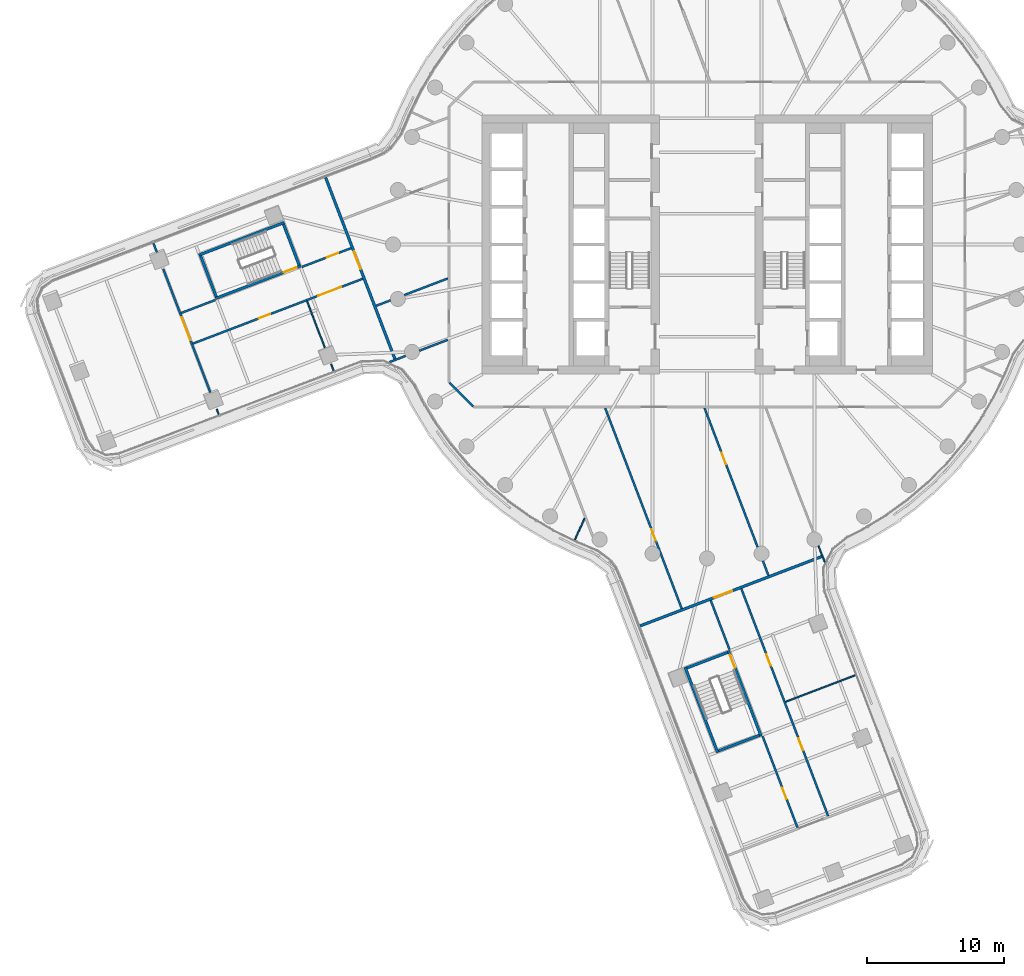
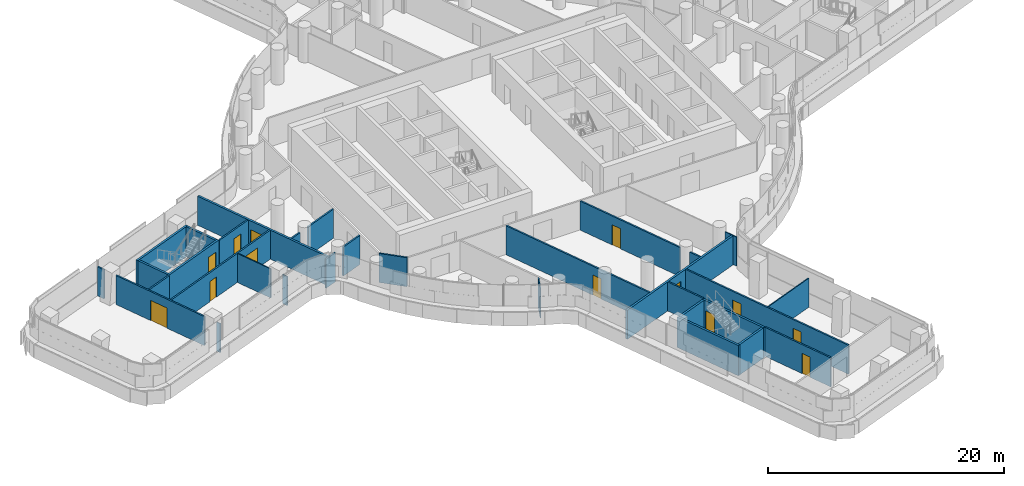
# One storey, part 20 of 32: 32 walls, 13 doors, 13 openings.
"""IFC4 building model written with IfcOpenShell, lengths in metres."""

from ifc_helpers import new_model, si_unit, direction, frame, frame_2d, origin, place, context, subcontext, project, spatial, polyline, rectangle, outline, extrude, material, layer, layer_set, type_object, element, fill, save


model = new_model("IFC4")

# Units and contexts
model_context = context("Model", 3, precision=1e-05, world=origin(), true_north=direction((0.0, 1.0)))
body_context = subcontext(model_context, "Body", "Model", "MODEL_VIEW")
ifc_project = project(units=[si_unit("LENGTHUNIT", "METRE"), si_unit("AREAUNIT", "SQUARE_METRE"), si_unit("VOLUMEUNIT", "CUBIC_METRE"), si_unit("PLANEANGLEUNIT", "RADIAN"), si_unit("MASSUNIT", "GRAM", prefix="KILO")], contexts=[model_context])

# Site, building, storey
site_placement = place(None, origin())
site = spatial("IfcSite", under=ifc_project, at=site_placement, CompositionType="ELEMENT")
building_placement = place(site_placement, origin())
building = spatial("IfcBuilding", under=site, at=building_placement, Name="Tamarind Cross Interchange Tower", CompositionType="ELEMENT")
storey_placement = place(building_placement, frame((0.0, 0.0, 109.75)))
storey = spatial("IfcBuildingStorey", under=building, at=storey_placement, Name="L26", CompositionType="ELEMENT", Elevation=109.75)

# Walls
ifc_material_1 = material(Name="Gypsum board partition on steel studs", Category="steel")
ifc_layer_1 = layer(ifc_material_1, 0.10009765625)
ifc_layer_set_1 = layer_set([ifc_layer_1], Name="Gypsum board partition on steel studs")
wall_type_1 = type_object("IfcWallType", Name="Partition 100 mm EI 90", PredefinedType="PARTITIONING", material=ifc_layer_set_1)
wall_1_placement = place(storey_placement, frame((-35.914306640625, -12.05859375, 0.0), z_axis=(0.0, 0.0, 1.0), x_axis=(0.356417338783, -0.934326859624, 0.0)))
element("IfcWall", 1, at=wall_1_placement, inside=storey, type_object=wall_type_1, Name="Partition L26-003", PredefinedType="PARTITIONING", context=body_context, shape_type="SweptSolid", body=[
    extrude(rectangle(XDim=0.408935546875, YDim=0.10009765625, at=frame_2d((0.20458984375, 0.0))), origin(), (0.0, 0.0, 1.0), 3.010009765625),
])
wall_2_placement = place(storey_placement, frame((-29.29931640625, -4.151123046875, 0.0), z_axis=(0.0, 0.0, 1.0), x_axis=(0.356630346692, -0.934245575755, 0.0)))
element("IfcWall", 2, at=wall_2_placement, inside=storey, type_object=wall_type_1, Name="Partition L26-004", PredefinedType="PARTITIONING", context=body_context, shape_type="SweptSolid", body=[
    extrude(rectangle(XDim=3.644775390625, YDim=0.10009765625, at=frame_2d((1.822265625, 0.0))), origin(), (0.0, 0.0, 1.0), 3.010009765625),
])
wall_3_placement = place(storey_placement, frame((-27.53564453125, -8.77197265625, 0.0), z_axis=(0.0, 0.0, 1.0), x_axis=(0.356678557675, -0.934227170711, 0.0)))
element("IfcWall", 3, at=wall_3_placement, inside=storey, type_object=wall_type_1, Name="Partition L26-005", PredefinedType="PARTITIONING", context=body_context, shape_type="SweptSolid", body=[
    extrude(rectangle(XDim=0.505126953125, YDim=0.10009765625, at=frame_2d((0.25244140625, 0.0))), origin(), (0.0, 0.0, 1.0), 3.010009765625),
])
wall_4_placement = place(storey_placement, frame((8.1650390625, -22.079345703125, 0.0), z_axis=(0.0, 0.0, 1.0), x_axis=(0.356610144775, -0.9342532872, 0.0)))
element("IfcWall", 4, at=wall_4_placement, inside=storey, type_object=wall_type_1, Name="Partition L26-025", PredefinedType="PARTITIONING", context=body_context, shape_type="SweptSolid", body=[
    extrude(rectangle(XDim=1.271240234375, YDim=0.10009765625, at=frame_2d((0.6357421875, 0.0))), origin(), (0.0, 0.0, 1.0), 3.010009765625),
])
wall_5_placement = place(storey_placement, frame((5.7607421875, -33.50146484375, 0.0), z_axis=(0.0, 0.0, 1.0), x_axis=(0.934215122636, 0.35671011289, 0.0)))
element("IfcWall", 5, at=wall_5_placement, inside=storey, type_object=wall_type_1, Name="Partition L26-063", PredefinedType="PARTITIONING", context=body_context, shape_type="SweptSolid", body=[
    extrude(rectangle(XDim=5.439208984375, YDim=0.10009765625, at=frame_2d((2.7197265625, 0.0))), origin(), (0.0, 0.0, 1.0), 3.010009765625),
])
wall_6_placement = place(storey_placement, frame((-9.672607421875, -21.619873046875, 0.0), z_axis=(0.0, 0.0, 1.0), x_axis=(0.408435119279, 0.912787353845, 0.0)))
element("IfcWall", 6, at=wall_6_placement, inside=storey, type_object=wall_type_1, Name="Partition L26-074", PredefinedType="PARTITIONING", context=body_context, shape_type="SweptSolid", body=[
    extrude(rectangle(XDim=1.705322265625, YDim=0.10009765625, at=frame_2d((0.8525390625, 0.0))), origin(), (0.0, 0.0, 1.0), 3.010009765625),
])
ifc_layer_2 = layer(ifc_material_1, 0.14990234375)
ifc_layer_set_2 = layer_set([ifc_layer_2], Name="Gypsum board partition on steel studs")
wall_type_2 = type_object("IfcWallType", Name="Partition 150 mm EI 120", PredefinedType="PARTITIONING", material=ifc_layer_set_2)
wall_7_placement = place(storey_placement, frame((-40.551513671875, 0.087890625, 0.0), z_axis=(0.0, 0.0, 1.0), x_axis=(0.356494659401, -0.93429736049, 0.0)))
element("IfcWall", 7, at=wall_7_placement, inside=storey, type_object=wall_type_2, Name="Partition L26-001", PredefinedType="PARTITIONING", context=body_context, shape_type="SweptSolid", body=[
    extrude(rectangle(XDim=0.71142578125, YDim=0.14990234375, at=frame_2d((0.355712890625, 0.0))), origin(), (0.0, 0.0, 1.0), 3.010009765625),
])

# Wall, opening, door
wall_8_placement = place(storey_placement, frame((-39.833740234375, -1.79248046875, 0.0), z_axis=(0.0, 0.0, 1.0), x_axis=(0.356671172887, -0.934229990115, 0.0)))
wall_8 = element("IfcWall", 8, at=wall_8_placement, inside=storey, type_object=wall_type_2, Name="Partition L26-002", PredefinedType="PARTITIONING", context=body_context, shape_type="SweptSolid", body=[
    extrude(rectangle(XDim=9.687744140625, YDim=0.14990234375, at=frame_2d((4.84375, 0.0))), origin(), (0.0, 0.0, 1.0), 3.010009765625),
])
opening_1_placement = place(wall_8_placement, frame((3.785888671875, 0.0, 0.0)))
opening_1 = element("IfcOpeningElement", 9, at=opening_1_placement, cuts=wall_8, Name="Opening D01", PredefinedType="OPENING", context=body_context, shape_type="SweptSolid", body=[
    extrude(rectangle(XDim=1.800048828125, YDim=2.10009765625, at=frame_2d((0.89990234375, 1.050048828125))), frame((0.0, 0.0849609375, 0.0), z_axis=(0.0, -1.0, 0.0), x_axis=(1.0, 0.0, 0.0)), (0.0, 0.0, 1.0), 0.169921875),
])
ifc_material_2 = material(Name="Fire-resisting door set")
door_type_1 = type_object("IfcDoorType", Name="Interior door 1800 x 2100 FD60S", OperationType="DOUBLE_DOOR_SINGLE_SWING", PredefinedType="DOOR", material=ifc_material_2)
door_1_placement = place(opening_1_placement, frame((1.800048828125, 0.0, 0.0), z_axis=(0.0, 0.0, 1.0), x_axis=(-1.0, 0.0, 0.0)))
door_1 = element("IfcDoor", 10, at=door_1_placement, inside=storey, type_object=door_type_1, Name="Door D01", OperationType="DOUBLE_DOOR_SINGLE_SWING", OverallHeight=2.10009765625, OverallWidth=1.800048828125, PredefinedType="DOOR", context=body_context, shape_type="SweptSolid", body=[
    extrude(rectangle(XDim=1.800048828125, YDim=2.10009765625, at=frame_2d((0.89990234375, 1.050048828125))), frame((0.0, 0.02490234375, 0.0), z_axis=(0.0, -1.0, 0.0), x_axis=(1.0, 0.0, 0.0)), (0.0, 0.0, 1.0), 0.050048828125),
])
fill(opening_1, door_1)

wall_9_placement = place(storey_placement, frame((-7.462890625, -11.984130859375, 0.0), z_axis=(0.0, 0.0, 1.0), x_axis=(0.356654229723, -0.934236458516, 0.0)))
wall_9 = element("IfcWall", 11, at=wall_9_placement, inside=storey, type_object=wall_type_2, Name="Partition L26-012", PredefinedType="PARTITIONING", context=body_context, shape_type="SweptSolid", body=[
    extrude(rectangle(XDim=15.714111328125, YDim=0.14990234375, at=frame_2d((7.85693359375, 0.0))), origin(), (0.0, 0.0, 1.0), 3.010009765625),
])
opening_2_placement = place(wall_9_placement, frame((9.510009765625, 0.0, 0.0)))
opening_2 = element("IfcOpeningElement", 12, at=opening_2_placement, cuts=wall_9, Name="Opening D08", PredefinedType="OPENING", context=body_context, shape_type="SweptSolid", body=[
    extrude(rectangle(XDim=0.89990234375, YDim=2.10009765625, at=frame_2d((0.449951171875, 1.050048828125))), frame((0.0, 0.0849609375, 0.0), z_axis=(0.0, -1.0, 0.0), x_axis=(1.0, 0.0, 0.0)), (0.0, 0.0, 1.0), 0.169921875),
])
door_type_2 = type_object("IfcDoorType", Name="Interior door 900 x 2100 FD60S", OperationType="SINGLE_SWING_LEFT", PredefinedType="DOOR", material=ifc_material_2)
door_2_placement = place(opening_2_placement, frame((0.89990234375, 0.0, 0.0), z_axis=(0.0, 0.0, 1.0), x_axis=(-1.0, 0.0, 0.0)))
door_2 = element("IfcDoor", 13, at=door_2_placement, inside=storey, type_object=door_type_2, Name="Door D08", OperationType="SINGLE_SWING_RIGHT", OverallHeight=2.10009765625, OverallWidth=0.89990234375, PredefinedType="DOOR", context=body_context, shape_type="SweptSolid", body=[
    extrude(rectangle(XDim=0.89990234375, YDim=2.10009765625, at=frame_2d((0.449951171875, 1.050048828125))), frame((0.0, 0.02490234375, 0.0), z_axis=(0.0, -1.0, 0.0), x_axis=(1.0, 0.0, 0.0)), (0.0, 0.0, 1.0), 0.050048828125),
])
fill(opening_2, door_2)

wall_10_placement = place(storey_placement, frame((-0.184814453125, -11.984130859375, 0.0), z_axis=(0.0, 0.0, 1.0), x_axis=(0.356710090363, -0.934215131237, 0.0)))
wall_10 = element("IfcWall", 14, at=wall_10_placement, inside=storey, type_object=wall_type_2, Name="Partition L26-017", PredefinedType="PARTITIONING", context=body_context, shape_type="SweptSolid", body=[
    extrude(rectangle(XDim=10.906982421875, YDim=0.14990234375, at=frame_2d((5.45361328125, 0.0))), origin(), (0.0, 0.0, 1.0), 3.010009765625),
])
opening_3_placement = place(wall_10_placement, frame((3.510009765625, 0.0, 0.0)))
opening_3 = element("IfcOpeningElement", 15, at=opening_3_placement, cuts=wall_10, Name="Opening D15", PredefinedType="OPENING", context=body_context, shape_type="SweptSolid", body=[
    extrude(rectangle(XDim=0.89990234375, YDim=2.10009765625, at=frame_2d((0.449951171875, 1.050048828125))), frame((0.0, 0.0849609375, 0.0), z_axis=(0.0, -1.0, 0.0), x_axis=(1.0, 0.0, 0.0)), (0.0, 0.0, 1.0), 0.169921875),
])
door_3_placement = place(opening_3_placement, origin())
door_3 = element("IfcDoor", 16, at=door_3_placement, inside=storey, type_object=door_type_2, Name="Door D15", OperationType="SINGLE_SWING_RIGHT", OverallHeight=2.10009765625, OverallWidth=0.89990234375, PredefinedType="DOOR", context=body_context, shape_type="SweptSolid", body=[
    extrude(rectangle(XDim=0.89990234375, YDim=2.10009765625, at=frame_2d((0.449951171875, 1.050048828125))), frame((0.0, 0.02490234375, 0.0), z_axis=(0.0, -1.0, 0.0), x_axis=(1.0, 0.0, 0.0)), (0.0, 0.0, 1.0), 0.050048828125),
])
fill(opening_3, door_3)

# Walls
wall_11_placement = place(storey_placement, frame((4.091796875, -23.184326171875, 0.0), z_axis=(0.0, 0.0, 1.0), x_axis=(0.356615770698, -0.934251139731, 0.0)))
element("IfcWall", 17, at=wall_11_placement, inside=storey, type_object=wall_type_2, Name="Partition L26-018", PredefinedType="PARTITIONING", context=body_context, shape_type="SweptSolid", body=[
    extrude(rectangle(XDim=1.12890625, YDim=0.14990234375, at=frame_2d((0.564453125, 0.0))), origin(), (0.0, 0.0, 1.0), 3.010009765625),
])
wall_12_placement = place(storey_placement, frame((0.269775390625, -26.0712890625, 0.0), z_axis=(0.0, 0.0, 1.0), x_axis=(0.356676472855, -0.934227966672, 0.0)))
element("IfcWall", 18, at=wall_12_placement, inside=storey, type_object=wall_type_2, Name="Partition L26-019", PredefinedType="PARTITIONING", context=body_context, shape_type="SweptSolid", body=[
    extrude(rectangle(XDim=3.85986328125, YDim=0.14990234375, at=frame_2d((1.929931640625, 0.0))), origin(), (0.0, 0.0, 1.0), 3.010009765625),
])

# Wall, opening, door
wall_13_placement = place(storey_placement, frame((4.06494140625, -36.011474609375, 0.0), z_axis=(0.0, 0.0, 1.0), x_axis=(0.356691859739, -0.934222092008, 0.0)))
wall_13 = element("IfcWall", 19, at=wall_13_placement, inside=storey, type_object=wall_type_2, Name="Partition L26-020", PredefinedType="PARTITIONING", context=body_context, shape_type="SweptSolid", body=[
    extrude(rectangle(XDim=7.184814453125, YDim=0.14990234375, at=frame_2d((3.59228515625, 0.0))), origin(), (0.0, 0.0, 1.0), 3.010009765625),
])
opening_4_placement = place(wall_13_placement, frame((4.050048828125, 0.0, 0.0)))
opening_4 = element("IfcOpeningElement", 20, at=opening_4_placement, cuts=wall_13, Name="Opening D16", PredefinedType="OPENING", context=body_context, shape_type="SweptSolid", body=[
    extrude(rectangle(XDim=0.89990234375, YDim=2.10009765625, at=frame_2d((0.449951171875, 1.050048828125))), frame((0.0, 0.0849609375, 0.0), z_axis=(0.0, -1.0, 0.0), x_axis=(1.0, 0.0, 0.0)), (0.0, 0.0, 1.0), 0.169921875),
])
door_4_placement = place(opening_4_placement, frame((0.89990234375, 0.0, 0.0), z_axis=(0.0, 0.0, 1.0), x_axis=(-1.0, 0.0, 0.0)))
door_4 = element("IfcDoor", 21, at=door_4_placement, inside=storey, type_object=door_type_2, Name="Door D16", OperationType="SINGLE_SWING_RIGHT", OverallHeight=2.10009765625, OverallWidth=0.89990234375, PredefinedType="DOOR", context=body_context, shape_type="SweptSolid", body=[
    extrude(rectangle(XDim=0.89990234375, YDim=2.10009765625, at=frame_2d((0.449951171875, 1.050048828125))), frame((0.0, 0.02490234375, 0.0), z_axis=(0.0, -1.0, 0.0), x_axis=(1.0, 0.0, 0.0)), (0.0, 0.0, 1.0), 0.050048828125),
])
fill(opening_4, door_4)

# Wall, openings, doors
wall_14_placement = place(storey_placement, frame((2.51171875, -25.21533203125, 0.0), z_axis=(0.0, 0.0, 1.0), x_axis=(0.356708303163, -0.93421581364, 0.0)))
wall_14 = element("IfcWall", 22, at=wall_14_placement, inside=storey, type_object=wall_type_2, Name="Partition L26-022", PredefinedType="PARTITIONING", context=body_context, shape_type="SweptSolid", body=[
    extrude(rectangle(XDim=17.8251953125, YDim=0.14990234375, at=frame_2d((8.91259765625, 0.0))), origin(), (0.0, 0.0, 1.0), 3.010009765625),
])
opening_5_placement = place(wall_14_placement, frame((5.14990234375, 0.0, 0.0)))
opening_5 = element("IfcOpeningElement", 23, at=opening_5_placement, cuts=wall_14, Name="Opening D18", PredefinedType="OPENING", context=body_context, shape_type="SweptSolid", body=[
    extrude(rectangle(XDim=0.89990234375, YDim=2.10009765625, at=frame_2d((0.449951171875, 1.050048828125))), frame((0.0, 0.0849609375, 0.0), z_axis=(0.0, -1.0, 0.0), x_axis=(1.0, 0.0, 0.0)), (0.0, 0.0, 1.0), 0.169921875),
])
opening_6_placement = place(wall_14_placement, frame((11.75, 0.0, 0.0)))
opening_6 = element("IfcOpeningElement", 24, at=opening_6_placement, cuts=wall_14, Name="Opening D19", PredefinedType="OPENING", context=body_context, shape_type="SweptSolid", body=[
    extrude(rectangle(XDim=0.89990234375, YDim=2.10009765625, at=frame_2d((0.449951171875, 1.050048828125))), frame((0.0, 0.0849609375, 0.0), z_axis=(0.0, -1.0, 0.0), x_axis=(1.0, 0.0, 0.0)), (0.0, 0.0, 1.0), 0.169921875),
])
door_5_placement = place(opening_5_placement, origin())
door_5 = element("IfcDoor", 25, at=door_5_placement, inside=storey, type_object=door_type_2, Name="Door D18", OperationType="SINGLE_SWING_RIGHT", OverallHeight=2.10009765625, OverallWidth=0.89990234375, PredefinedType="DOOR", context=body_context, shape_type="SweptSolid", body=[
    extrude(rectangle(XDim=0.89990234375, YDim=2.10009765625, at=frame_2d((0.449951171875, 1.050048828125))), frame((0.0, 0.02490234375, 0.0), z_axis=(0.0, -1.0, 0.0), x_axis=(1.0, 0.0, 0.0)), (0.0, 0.0, 1.0), 0.050048828125),
])
fill(opening_5, door_5)
door_6_placement = place(opening_6_placement, origin())
door_6 = element("IfcDoor", 26, at=door_6_placement, inside=storey, type_object=door_type_2, Name="Door D19", OperationType="SINGLE_SWING_LEFT", OverallHeight=2.10009765625, OverallWidth=0.89990234375, PredefinedType="DOOR", context=body_context, shape_type="SweptSolid", body=[
    extrude(rectangle(XDim=0.89990234375, YDim=2.10009765625, at=frame_2d((0.449951171875, 1.050048828125))), frame((0.0, 0.02490234375, 0.0), z_axis=(0.0, -1.0, 0.0), x_axis=(1.0, 0.0, 0.0)), (0.0, 0.0, 1.0), 0.050048828125),
])
fill(opening_6, door_6)

# Walls
wall_15_placement = place(storey_placement, frame((-18.87158203125, -10.12841796875, 0.0), z_axis=(0.0, 0.0, 1.0), x_axis=(0.707106781187, -0.707106781187, 0.0)))
element("IfcWall", 27, at=wall_15_placement, inside=storey, type_object=wall_type_2, Name="Partition L26-032", PredefinedType="PARTITIONING", context=body_context, shape_type="SweptSolid", body=[
    extrude(rectangle(XDim=2.465087890625, YDim=0.14990234375, at=frame_2d((1.232421875, 0.0))), origin(), (0.0, 0.0, 1.0), 3.010009765625),
])
wall_16_placement = place(storey_placement, frame((-38.52001953125, -5.022216796875, 0.0), z_axis=(0.0, 0.0, 1.0), x_axis=(0.93425419007, 0.356607779412, 0.0)))
element("IfcWall", 28, at=wall_16_placement, inside=storey, type_object=wall_type_2, Name="Partition L26-038", PredefinedType="PARTITIONING", context=body_context, shape_type="SweptSolid", body=[
    extrude(rectangle(XDim=2.68505859375, YDim=0.14990234375, at=frame_2d((1.342529296875, 0.0))), origin(), (0.0, 0.0, 1.0), 3.010009765625),
])

# Wall, opening, door
wall_17_placement = place(storey_placement, frame((-29.677490234375, -1.646484375, 0.0), z_axis=(0.0, 0.0, 1.0), x_axis=(0.934236012723, 0.356655397451, 0.0)))
wall_17 = element("IfcWall", 29, at=wall_17_placement, inside=storey, type_object=wall_type_2, Name="Partition L26-039", PredefinedType="PARTITIONING", context=body_context, shape_type="SweptSolid", body=[
    extrude(rectangle(XDim=3.860107421875, YDim=0.14990234375, at=frame_2d((1.93017578125, 0.0))), origin(), (0.0, 0.0, 1.0), 3.010009765625),
])
opening_7_placement = place(wall_17_placement, frame((1.949951171875, 0.0, 0.0)))
opening_7 = element("IfcOpeningElement", 30, at=opening_7_placement, cuts=wall_17, Name="Opening D29", PredefinedType="OPENING", context=body_context, shape_type="SweptSolid", body=[
    extrude(rectangle(XDim=0.89990234375, YDim=2.10009765625, at=frame_2d((0.449951171875, 1.050048828125))), frame((0.0, 0.0849609375, 0.0), z_axis=(0.0, -1.0, 0.0), x_axis=(1.0, 0.0, 0.0)), (0.0, 0.0, 1.0), 0.169921875),
])
door_7_placement = place(opening_7_placement, origin())
door_7 = element("IfcDoor", 31, at=door_7_placement, inside=storey, type_object=door_type_2, Name="Door D29", OperationType="SINGLE_SWING_LEFT", OverallHeight=2.10009765625, OverallWidth=0.89990234375, PredefinedType="DOOR", context=body_context, shape_type="SweptSolid", body=[
    extrude(rectangle(XDim=0.89990234375, YDim=2.10009765625, at=frame_2d((0.449951171875, 1.050048828125))), frame((0.0, 0.02490234375, 0.0), z_axis=(0.0, -1.0, 0.0), x_axis=(1.0, 0.0, 0.0)), (0.0, 0.0, 1.0), 0.050048828125),
])
fill(opening_7, door_7)

# Wall, openings, doors
wall_18_placement = place(storey_placement, frame((-37.663818359375, -7.26513671875, 0.0), z_axis=(0.0, 0.0, 1.0), x_axis=(0.934194850128, 0.356763201571, 0.0)))
wall_18 = element("IfcWall", 32, at=wall_18_placement, inside=storey, type_object=wall_type_2, Name="Partition L26-040", PredefinedType="PARTITIONING", context=body_context, shape_type="SweptSolid", body=[
    extrude(rectangle(XDim=13.3251953125, YDim=0.14990234375, at=frame_2d((6.66259765625, 0.0))), origin(), (0.0, 0.0, 1.0), 3.010009765625),
])
opening_8_placement = place(wall_18_placement, frame((5.175048828125, 0.0, 0.0)))
opening_8 = element("IfcOpeningElement", 33, at=opening_8_placement, cuts=wall_18, Name="Opening D30", PredefinedType="OPENING", context=body_context, shape_type="SweptSolid", body=[
    extrude(rectangle(XDim=0.89990234375, YDim=2.10009765625, at=frame_2d((0.449951171875, 1.050048828125))), frame((0.0, 0.0849609375, 0.0), z_axis=(0.0, -1.0, 0.0), x_axis=(1.0, 0.0, 0.0)), (0.0, 0.0, 1.0), 0.169921875),
])
opening_9_placement = place(wall_18_placement, frame((9.8251953125, 0.0, 0.0)))
opening_9 = element("IfcOpeningElement", 34, at=opening_9_placement, cuts=wall_18, Name="Opening D31", PredefinedType="OPENING", context=body_context, shape_type="SweptSolid", body=[
    extrude(rectangle(XDim=1.800048828125, YDim=2.10009765625, at=frame_2d((0.89990234375, 1.050048828125))), frame((0.0, 0.0849609375, 0.0), z_axis=(0.0, -1.0, 0.0), x_axis=(1.0, 0.0, 0.0)), (0.0, 0.0, 1.0), 0.169921875),
])
door_8_placement = place(opening_9_placement, frame((1.800048828125, 0.0, 0.0), z_axis=(0.0, 0.0, 1.0), x_axis=(-1.0, 0.0, 0.0)))
door_8 = element("IfcDoor", 35, at=door_8_placement, inside=storey, type_object=door_type_1, Name="Door D31", OperationType="DOUBLE_DOOR_SINGLE_SWING", OverallHeight=2.10009765625, OverallWidth=1.800048828125, PredefinedType="DOOR", context=body_context, shape_type="SweptSolid", body=[
    extrude(rectangle(XDim=1.800048828125, YDim=2.10009765625, at=frame_2d((0.89990234375, 1.050048828125))), frame((0.0, 0.02490234375, 0.0), z_axis=(0.0, -1.0, 0.0), x_axis=(1.0, 0.0, 0.0)), (0.0, 0.0, 1.0), 0.050048828125),
])
fill(opening_9, door_8)
door_9_placement = place(opening_8_placement, frame((0.89990234375, 0.0, 0.0), z_axis=(0.0, 0.0, 1.0), x_axis=(-1.0, 0.0, 0.0)))
door_9 = element("IfcDoor", 36, at=door_9_placement, inside=storey, type_object=door_type_2, Name="Door D30", OperationType="SINGLE_SWING_LEFT", OverallHeight=2.10009765625, OverallWidth=0.89990234375, PredefinedType="DOOR", context=body_context, shape_type="SweptSolid", body=[
    extrude(rectangle(XDim=0.89990234375, YDim=2.10009765625, at=frame_2d((0.449951171875, 1.050048828125))), frame((0.0, 0.02490234375, 0.0), z_axis=(0.0, -1.0, 0.0), x_axis=(1.0, 0.0, 0.0)), (0.0, 0.0, 1.0), 0.050048828125),
])
fill(opening_8, door_9)

# Walls
wall_19_placement = place(storey_placement, frame((-24.239013671875, -4.494384765625, 0.0), z_axis=(0.0, 0.0, 1.0), x_axis=(0.934251139731, 0.356615770698, 0.0)))
element("IfcWall", 37, at=wall_19_placement, inside=storey, type_object=wall_type_2, Name="Partition L26-042", PredefinedType="PARTITIONING", context=body_context, shape_type="SweptSolid", body=[
    extrude(rectangle(XDim=1.12890625, YDim=0.14990234375, at=frame_2d((0.564453125, 0.0))), origin(), (0.0, 0.0, 1.0), 3.010009765625),
])
wall_20_placement = place(storey_placement, frame((-22.173583984375, -3.705810546875, 0.0), z_axis=(0.0, 0.0, 1.0), x_axis=(0.934220119269, 0.356697026555, 0.0)))
element("IfcWall", 38, at=wall_20_placement, inside=storey, type_object=wall_type_2, Name="Partition L26-043", PredefinedType="PARTITIONING", context=body_context, shape_type="SweptSolid", body=[
    extrude(rectangle(XDim=3.4140625, YDim=0.14990234375, at=frame_2d((1.70703125, 0.0))), origin(), (0.0, 0.0, 1.0), 3.010009765625),
])
wall_21_placement = place(storey_placement, frame((-23.266845703125, -8.61865234375, 0.0), z_axis=(0.0, 0.0, 1.0), x_axis=(0.9342532872, 0.356610144775, 0.0)))
element("IfcWall", 39, at=wall_21_placement, inside=storey, type_object=wall_type_2, Name="Partition L26-044", PredefinedType="PARTITIONING", context=body_context, shape_type="SweptSolid", body=[
    extrude(rectangle(XDim=1.271240234375, YDim=0.14990234375, at=frame_2d((0.6357421875, 0.0))), origin(), (0.0, 0.0, 1.0), 3.010009765625),
])
wall_22_placement = place(storey_placement, frame((-21.075439453125, -7.7822265625, 0.0), z_axis=(0.0, 0.0, 1.0), x_axis=(0.934278508333, 0.35654406301, 0.0)))
element("IfcWall", 40, at=wall_22_placement, inside=storey, type_object=wall_type_2, Name="Partition L26-045", PredefinedType="PARTITIONING", context=body_context, shape_type="SweptSolid", body=[
    extrude(rectangle(XDim=2.238525390625, YDim=0.14990234375, at=frame_2d((1.119140625, 0.0))), origin(), (0.0, 0.0, 1.0), 3.010009765625),
])

# Wall, opening, door
ifc_layer_3 = layer(ifc_material_1, 0.199951171875)
ifc_layer_set_3 = layer_set([ifc_layer_3], Name="Gypsum board partition on steel studs")
wall_type_3 = type_object("IfcWallType", Name="Partition 200 mm EI 180", PredefinedType="PARTITIONING", material=ifc_layer_set_3)
wall_23_placement = place(storey_placement, frame((-27.939697265625, 4.903076171875, 0.0), z_axis=(0.0, 0.0, 1.0), x_axis=(0.356743238029, -0.934202473836, 0.0)))
wall_23 = element("IfcWall", 41, at=wall_23_placement, inside=storey, type_object=wall_type_3, Name="Partition L26-006", PredefinedType="PARTITIONING", context=body_context, shape_type="SweptSolid", body=[
    extrude(rectangle(XDim=14.2236328125, YDim=0.199951171875, at=frame_2d((7.11181640625, 0.0))), origin(), (0.0, 0.0, 1.0), 3.010009765625),
])
opening_10_placement = place(wall_23_placement, frame((5.798828125, 0.0, 0.0)))
opening_10 = element("IfcOpeningElement", 42, at=opening_10_placement, cuts=wall_23, Name="Opening D02", PredefinedType="OPENING", context=body_context, shape_type="SweptSolid", body=[
    extrude(rectangle(XDim=1.39990234375, YDim=2.10009765625, at=frame_2d((0.699951171875, 1.050048828125))), frame((0.0, 0.10986328125, 0.0), z_axis=(0.0, -1.0, 0.0), x_axis=(1.0, 0.0, 0.0)), (0.0, 0.0, 1.0), 0.219970703125),
])
door_type_3 = type_object("IfcDoorType", Name="Interior door 1400 x 2100 FD120S", OperationType="DOUBLE_DOOR_SINGLE_SWING", PredefinedType="DOOR", material=ifc_material_2)
door_10_placement = place(opening_10_placement, origin())
door_10 = element("IfcDoor", 43, at=door_10_placement, inside=storey, type_object=door_type_3, Name="Door D02", OperationType="DOUBLE_DOOR_SINGLE_SWING", OverallHeight=2.10009765625, OverallWidth=1.39990234375, PredefinedType="DOOR", context=body_context, shape_type="SweptSolid", body=[
    extrude(rectangle(XDim=1.39990234375, YDim=2.10009765625, at=frame_2d((0.699951171875, 1.050048828125))), frame((0.0, 0.02490234375, 0.0), z_axis=(0.0, -1.0, 0.0), x_axis=(1.0, 0.0, 0.0)), (0.0, 0.0, 1.0), 0.050048828125),
])
fill(opening_10, door_10)

wall_24_placement = place(storey_placement, frame((-4.903076171875, -27.939697265625, 0.0), z_axis=(0.0, 0.0, 1.0), x_axis=(0.93420623946, 0.356733376842, 0.0)))
wall_24 = element("IfcWall", 44, at=wall_24_placement, inside=storey, type_object=wall_type_3, Name="Partition L26-059", PredefinedType="PARTITIONING", context=body_context, shape_type="SweptSolid", body=[
    extrude(rectangle(XDim=14.248779296875, YDim=0.199951171875, at=frame_2d((7.12451171875, 0.0))), origin(), (0.0, 0.0, 1.0), 3.010009765625),
])
opening_11_placement = place(wall_24_placement, frame((5.798828125, 0.0, 0.0)))
opening_11 = element("IfcOpeningElement", 45, at=opening_11_placement, cuts=wall_24, Name="Opening D35", PredefinedType="OPENING", context=body_context, shape_type="SweptSolid", body=[
    extrude(rectangle(XDim=1.39990234375, YDim=2.10009765625, at=frame_2d((0.699951171875, 1.050048828125))), frame((0.0, 0.10986328125, 0.0), z_axis=(0.0, -1.0, 0.0), x_axis=(1.0, 0.0, 0.0)), (0.0, 0.0, 1.0), 0.219970703125),
])
door_11_placement = place(opening_11_placement, origin())
door_11 = element("IfcDoor", 46, at=door_11_placement, inside=storey, type_object=door_type_3, Name="Door D35", OperationType="DOUBLE_DOOR_SINGLE_SWING", OverallHeight=2.10009765625, OverallWidth=1.39990234375, PredefinedType="DOOR", context=body_context, shape_type="SweptSolid", body=[
    extrude(rectangle(XDim=1.39990234375, YDim=2.10009765625, at=frame_2d((0.699951171875, 1.050048828125))), frame((0.0, 0.02490234375, 0.0), z_axis=(0.0, -1.0, 0.0), x_axis=(1.0, 0.0, 0.0)), (0.0, 0.0, 1.0), 0.050048828125),
])
fill(opening_11, door_11)

ifc_material_3 = material(Name="Concrete C40", Category="concrete")
ifc_layer_4 = layer(ifc_material_3, 0.199951171875)
ifc_layer_set_4 = layer_set([ifc_layer_4], Name="Concrete C40")
wall_type_4 = type_object("IfcWallType", Name="Stair shaft wall 200 mm Concrete C40", PredefinedType="SHEAR", material=ifc_layer_set_4)
wall_25_placement = place(storey_placement, frame((-29.750732421875, -1.5673828125, -0.139892578125), z_axis=(0.0, 0.0, 1.0), x_axis=(-0.934219048511, -0.356699830949, 0.0)))
wall_25 = element("IfcWall", 47, at=wall_25_placement, inside=storey, type_object=wall_type_4, Name="Core wall CWL-L26-ST5-H", PredefinedType="SHEAR", context=body_context, shape_type="SweptSolid", body=[
    extrude(rectangle(XDim=6.699951171875, YDim=0.199951171875, at=frame_2d((3.35009765625, 0.0))), origin(), (0.0, 0.0, 1.0), 3.14990234375),
])
opening_12_placement = place(wall_25_placement, frame((0.35009765625, 0.0, 0.0)))
opening_12 = element("IfcOpeningElement", 48, at=opening_12_placement, cuts=wall_25, Name="Opening ST5L26", PredefinedType="OPENING", context=body_context, shape_type="SweptSolid", body=[
    extrude(rectangle(XDim=1.0, YDim=2.10009765625, at=frame_2d((0.5, 1.050048828125))), frame((0.0, 0.10986328125, 0.0), z_axis=(0.0, -1.0, 0.0), x_axis=(1.0, 0.0, 0.0)), (0.0, 0.0, 1.0), 0.219970703125),
])
ifc_material_4 = material(Name="Steel, fire-resisting", Category="steel")
door_type_4 = type_object("IfcDoorType", Name="Core fire door 1000 x 2100 FD90", OperationType="SINGLE_SWING_LEFT", PredefinedType="DOOR", material=ifc_material_4)
door_12_placement = place(opening_12_placement, origin())
door_12 = element("IfcDoor", 49, at=door_12_placement, inside=storey, type_object=door_type_4, Name="L26 stair door ST5", OperationType="SINGLE_SWING_LEFT", OverallHeight=2.10009765625, OverallWidth=1.0, PredefinedType="DOOR", context=body_context, shape_type="SweptSolid", body=[
    extrude(rectangle(XDim=1.0, YDim=2.10009765625, at=frame_2d((0.5, 1.050048828125))), frame((0.0, 0.02490234375, 0.0), z_axis=(0.0, -1.0, 0.0), x_axis=(1.0, 0.0, 0.0)), (0.0, 0.0, 1.0), 0.050048828125),
])
fill(opening_12, door_12)

# Walls
wall_26_placement = place(storey_placement, frame((-30.96337890625, 1.60888671875, -0.139892578125), z_axis=(0.0, 0.0, 1.0), x_axis=(-0.934219048511, -0.356699830949, 0.0)))
element("IfcWall", 50, at=wall_26_placement, inside=storey, type_object=wall_type_4, Name="Core wall CWL-L26-ST5-C", PredefinedType="SHEAR", context=body_context, shape_type="SweptSolid", body=[
    extrude(rectangle(XDim=6.699951171875, YDim=0.199951171875, at=frame_2d((3.35009765625, 0.0))), origin(), (0.0, 0.0, 1.0), 3.14990234375),
])
wall_27_placement = place(storey_placement, frame((-31.02099609375, 1.479736328125, -0.139892578125), z_axis=(0.0, 0.0, 1.0), x_axis=(0.356610760752, -0.934253052077, 0.0)))
element("IfcWall", 51, at=wall_27_placement, inside=storey, type_object=wall_type_4, Name="Core wall CWL-L26-ST5-CE", PredefinedType="SHEAR", context=body_context, shape_type="SweptSolid", body=[
    extrude(rectangle(XDim=3.199951171875, YDim=0.199951171875, at=frame_2d((1.60009765625, 0.0))), origin(), (0.0, 0.0, 1.0), 3.14990234375),
])
wall_28_placement = place(storey_placement, frame((0.0, 0.0, -0.139892578125)))
element("IfcWall", 52, at=wall_28_placement, inside=storey, type_object=wall_type_4, Name="Core wall CWL-L26-ST5-CF", PredefinedType="SHEAR", context=body_context, shape_type="SweptSolid", body=[
    extrude(outline(polyline([(-37.000244140625, -0.802978515625), (-37.18701171875, -0.874267578125), (-36.045654296875, -3.86376953125), (-35.85888671875, -3.79248046875), (-37.000244140625, -0.802978515625)])), origin(), (0.0, 0.0, 1.0), 3.14990234375),
])

# Wall, opening, door
wall_29_placement = place(storey_placement, frame((1.5673828125, -29.750732421875, -0.139892578125), z_axis=(0.0, 0.0, 1.0), x_axis=(0.356699830949, -0.934219048511, 0.0)))
wall_29 = element("IfcWall", 53, at=wall_29_placement, inside=storey, type_object=wall_type_4, Name="Core wall CWL-L26-ST6-H", PredefinedType="SHEAR", context=body_context, shape_type="SweptSolid", body=[
    extrude(rectangle(XDim=6.699951171875, YDim=0.199951171875, at=frame_2d((3.35009765625, 0.0))), origin(), (0.0, 0.0, 1.0), 3.14990234375),
])
opening_13_placement = place(wall_29_placement, frame((0.35009765625, 0.0, 0.0)))
opening_13 = element("IfcOpeningElement", 54, at=opening_13_placement, cuts=wall_29, Name="Opening ST6L26", PredefinedType="OPENING", context=body_context, shape_type="SweptSolid", body=[
    extrude(rectangle(XDim=1.0, YDim=2.10009765625, at=frame_2d((0.5, 1.050048828125))), frame((0.0, 0.10986328125, 0.0), z_axis=(0.0, -1.0, 0.0), x_axis=(1.0, 0.0, 0.0)), (0.0, 0.0, 1.0), 0.219970703125),
])
door_13_placement = place(opening_13_placement, origin())
door_13 = element("IfcDoor", 55, at=door_13_placement, inside=storey, type_object=door_type_4, Name="L26 stair door ST6", OperationType="SINGLE_SWING_LEFT", OverallHeight=2.10009765625, OverallWidth=1.0, PredefinedType="DOOR", context=body_context, shape_type="SweptSolid", body=[
    extrude(rectangle(XDim=1.0, YDim=2.10009765625, at=frame_2d((0.5, 1.050048828125))), frame((0.0, 0.02490234375, 0.0), z_axis=(0.0, -1.0, 0.0), x_axis=(1.0, 0.0, 0.0)), (0.0, 0.0, 1.0), 0.050048828125),
])
fill(opening_13, door_13)

# Walls
wall_30_placement = place(storey_placement, frame((-1.60888671875, -30.96337890625, -0.139892578125), z_axis=(0.0, 0.0, 1.0), x_axis=(0.356699830949, -0.934219048511, 0.0)))
element("IfcWall", 56, at=wall_30_placement, inside=storey, type_object=wall_type_4, Name="Core wall CWL-L26-ST6-C", PredefinedType="SHEAR", context=body_context, shape_type="SweptSolid", body=[
    extrude(rectangle(XDim=6.699951171875, YDim=0.199951171875, at=frame_2d((3.35009765625, 0.0))), origin(), (0.0, 0.0, 1.0), 3.14990234375),
])
wall_31_placement = place(storey_placement, frame((-1.479736328125, -31.02099609375, -0.139892578125), z_axis=(0.0, 0.0, 1.0), x_axis=(0.934253052077, 0.356610760752, 0.0)))
element("IfcWall", 57, at=wall_31_placement, inside=storey, type_object=wall_type_4, Name="Core wall CWL-L26-ST6-CE", PredefinedType="SHEAR", context=body_context, shape_type="SweptSolid", body=[
    extrude(rectangle(XDim=3.199951171875, YDim=0.199951171875, at=frame_2d((1.60009765625, 0.0))), origin(), (0.0, 0.0, 1.0), 3.14990234375),
])
wall_32_placement = place(storey_placement, frame((0.0, 0.0, -0.139892578125)))
element("IfcWall", 58, at=wall_32_placement, inside=storey, type_object=wall_type_4, Name="Core wall CWL-L26-ST6-CF", PredefinedType="SHEAR", context=body_context, shape_type="SweptSolid", body=[
    extrude(outline(polyline([(0.802978515625, -37.000244140625), (0.874267578125, -37.18701171875), (3.86376953125, -36.045654296875), (3.79248046875, -35.85888671875), (0.802978515625, -37.000244140625)])), origin(), (0.0, 0.0, 1.0), 3.14990234375),
])

save(model, "model.ifc")
